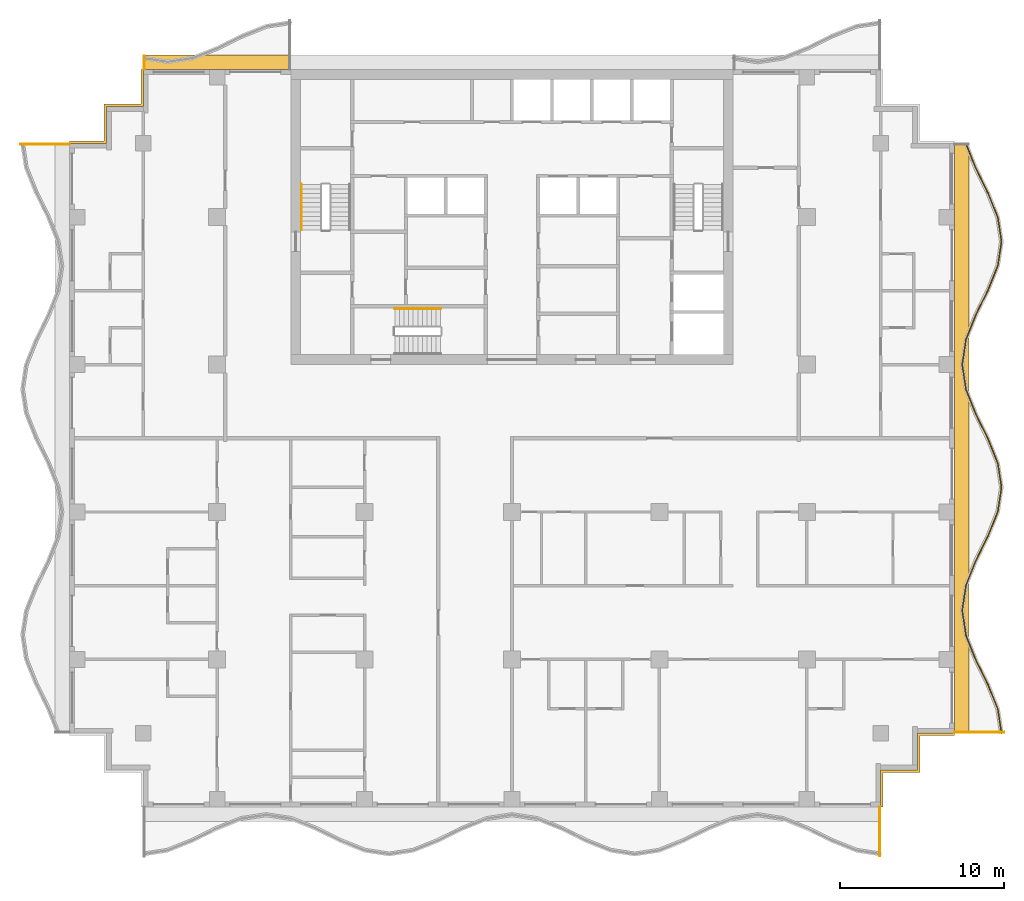
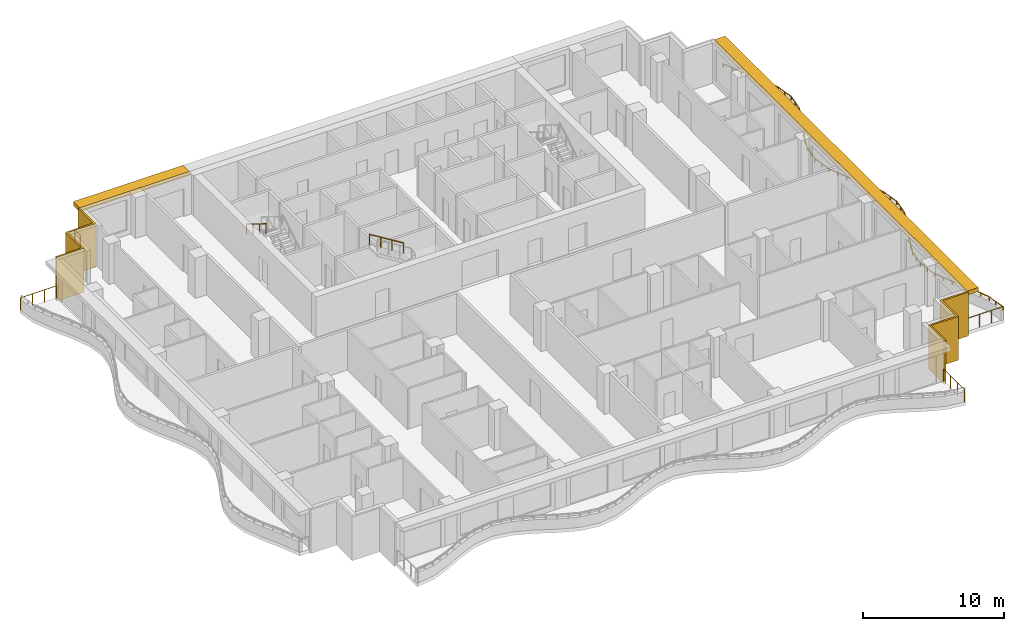
# One storey, part 10 of 11: 7 railings, 4 shading devices.
"""IFC4 building model written with IfcOpenShell, lengths in metres."""

from ifc_helpers import new_model, si_unit, direction, frame, origin, origin_2d, place, context, subcontext, project, spatial, polyline, rectangle, circle, outline, extrude, material, layer, layer_set, type_object, element, save


model = new_model("IFC4")

# Units and contexts
model_context = context("Model", 3, precision=1e-05, world=origin(), true_north=direction((0.0, 1.0)))
body_context = subcontext(model_context, "Body", "Model", "MODEL_VIEW")
ifc_project = project(units=[si_unit("LENGTHUNIT", "METRE"), si_unit("AREAUNIT", "SQUARE_METRE"), si_unit("VOLUMEUNIT", "CUBIC_METRE"), si_unit("PLANEANGLEUNIT", "RADIAN"), si_unit("MASSUNIT", "GRAM", prefix="KILO")], contexts=[model_context])

# Site, building, storey
site_placement = place(None, origin())
site = spatial("IfcSite", under=ifc_project, at=site_placement, CompositionType="ELEMENT")
building_placement = place(site_placement, origin())
building = spatial("IfcBuilding", under=site, at=building_placement, Name="Orbiselva Terraces", CompositionType="ELEMENT")
storey_placement = place(building_placement, frame((0.0, 0.0, 218.6)))
storey = spatial("IfcBuildingStorey", under=building, at=storey_placement, Name="L55", CompositionType="ELEMENT", Elevation=218.6)

# Railings
ifc_material_1 = material(Name="Stainless steel", Category="steel")
railing_type_1 = type_object("IfcRailingType", Name="CORE-HANDRAIL-900", PredefinedType="HANDRAIL", material=ifc_material_1)
railing_1_placement = place(storey_placement, frame((-12.85, 15.5, 2.072727)))
element("IfcRailing", 1, at=railing_1_placement, inside=storey, type_object=railing_type_1, Name="L55 S1 stair handrail 2", PredefinedType="HANDRAIL", context=body_context, shape_type="SweptSolid", body=[
    extrude(circle(Radius=0.024, at=origin_2d()), frame((0.0, 0.0, 0.876), z_axis=(0.0, -0.851088519012, 0.52502222125), x_axis=(1.0, 0.0, 0.0)), (0.0, 0.0, 1.0), 3.289905),
    extrude(circle(Radius=0.021, at=origin_2d()), origin(), (0.0, 0.0, 1.0), 0.852),
    extrude(circle(Radius=0.021, at=origin_2d()), frame((0.0, -0.933333, 0.575758)), (0.0, 0.0, 1.0), 0.852),
    extrude(circle(Radius=0.021, at=origin_2d()), frame((0.0, -1.866667, 1.151515)), (0.0, 0.0, 1.0), 0.852),
    extrude(circle(Radius=0.021, at=origin_2d()), frame((0.0, -2.8, 1.727273)), (0.0, 0.0, 1.0), 0.852),
])
railing_2_placement = place(storey_placement, frame((-4.35, 7.9, 2.072727)))
element("IfcRailing", 2, at=railing_2_placement, inside=storey, type_object=railing_type_1, Name="L55 S3 stair handrail 2", PredefinedType="HANDRAIL", context=body_context, shape_type="SweptSolid", body=[
    extrude(circle(Radius=0.024, at=origin_2d()), frame((0.0, 0.0, 0.876), z_axis=(-0.851088519012, 0.0, 0.52502222125), x_axis=(0.0, -1.0, 0.0)), (0.0, 0.0, 1.0), 3.289905),
    extrude(circle(Radius=0.021, at=origin_2d()), origin(), (0.0, 0.0, 1.0), 0.852),
    extrude(circle(Radius=0.021, at=origin_2d()), frame((-0.933333, 0.0, 0.575758)), (0.0, 0.0, 1.0), 0.852),
    extrude(circle(Radius=0.021, at=origin_2d()), frame((-1.866667, 0.0, 1.151515)), (0.0, 0.0, 1.0), 0.852),
    extrude(circle(Radius=0.021, at=origin_2d()), frame((-2.8, 0.0, 1.727273)), (0.0, 0.0, 1.0), 0.852),
])
ifc_material_2 = material(Name="Bonded two-ply safety glass balustrade, stainless steel posts", Category="steel")
railing_type_2 = type_object("IfcRailingType", Name="ENV-BALUSTRADE-1200", PredefinedType="BALUSTRADE", material=ifc_material_2)
railing_3_placement = place(storey_placement, frame((29.876434, -18.018879, 0.9)))
element("IfcRailing", 3, at=railing_3_placement, inside=storey, type_object=railing_type_2, Name="Balcony balustrade L55 E", PredefinedType="BALUSTRADE", context=body_context, shape_type="SweptSolid", body=[
    extrude(outline(polyline([(0.028868, 0.0), (0.014434, 0.025), (-0.014434, 0.025), (-0.028868, 0.0), (-0.014434, -0.025), (0.014434, -0.025), (0.028868, 0.0)])), frame((0.0, 0.0, 0.275), z_axis=(-0.151034103443, 0.988528552748, 0.0), x_axis=(-0.988528552748, -0.151034103443, 0.0)), (0.0, 0.0, 1.0), 1.503038),
    extrude(outline(polyline([(0.028868, 0.0), (0.014434, 0.025), (-0.014434, 0.025), (-0.028868, 0.0), (-0.014434, -0.025), (0.014434, -0.025), (0.028868, 0.0)])), frame((-0.22701, 1.485796, 0.275), z_axis=(-0.371391000387, 0.928476561272, 0.0), x_axis=(-0.928476561272, -0.371391000387, 0.0)), (0.0, 0.0, 1.0), 1.596261),
    extrude(outline(polyline([(0.028868, 0.0), (0.014434, 0.025), (-0.014434, 0.025), (-0.028868, 0.0), (-0.014434, -0.025), (0.014434, -0.025), (0.028868, 0.0)])), frame((-0.819847, 2.967887, 0.275), z_axis=(-0.443212307306, 0.896416672454, 0.0), x_axis=(-0.896416672454, -0.443212307306, 0.0)), (0.0, 0.0, 1.0), 1.673329),
    extrude(outline(polyline([(0.028868, 0.0), (0.014434, 0.025), (-0.014434, 0.025), (-0.028868, 0.0), (-0.014434, -0.025), (0.014434, -0.025), (0.028868, 0.0)])), frame((-1.561487, 4.467887, 0.275), z_axis=(-0.371390359967, 0.92847681744, 0.0), x_axis=(-0.92847681744, -0.371390359967, 0.0)), (0.0, 0.0, 1.0), 1.634838),
    extrude(outline(polyline([(0.028868, 0.0), (0.014434, 0.025), (-0.014434, 0.025), (-0.028868, 0.0), (-0.014434, -0.025), (0.014434, -0.025), (0.028868, 0.0)])), frame((-2.16865, 5.985796, 0.275), z_axis=(-0.151034211256, 0.988528536275, 0.0), x_axis=(-0.988528536275, -0.151034211256, 0.0)), (0.0, 0.0, 1.0), 1.550874),
    extrude(outline(polyline([(0.028868, 0.0), (0.014434, 0.025), (-0.014434, 0.025), (-0.028868, 0.0), (-0.014434, -0.025), (0.014434, -0.025), (0.028868, 0.0)])), frame((-2.402885, 7.518879, 0.275), z_axis=(0.151034211256, 0.988528536275, 0.0), x_axis=(-0.988528536275, 0.151034211256, 0.0)), (0.0, 0.0, 1.0), 1.550874),
    extrude(outline(polyline([(0.028868, 0.0), (0.014434, 0.025), (-0.014434, 0.025), (-0.028868, 0.0), (-0.014434, -0.025), (0.014434, -0.025), (0.028868, 0.0)])), frame((-2.16865, 9.051962, 0.275), z_axis=(0.371390359967, 0.92847681744, 0.0), x_axis=(-0.92847681744, 0.371390359967, 0.0)), (0.0, 0.0, 1.0), 1.634838),
    extrude(outline(polyline([(0.028868, 0.0), (0.014434, 0.025), (-0.014434, 0.025), (-0.028868, 0.0), (-0.014434, -0.025), (0.014434, -0.025), (0.028868, 0.0)])), frame((-1.561487, 10.569871, 0.275), z_axis=(0.443212307306, 0.896416672454, 0.0), x_axis=(-0.896416672454, 0.443212307306, 0.0)), (0.0, 0.0, 1.0), 1.673329),
    extrude(outline(polyline([(0.028868, 0.0), (0.014434, 0.025), (-0.014434, 0.025), (-0.028868, 0.0), (-0.014434, -0.025), (0.014434, -0.025), (0.028868, 0.0)])), frame((-0.819847, 12.069871, 0.275), z_axis=(0.371391000387, 0.928476561272, 0.0), x_axis=(-0.928476561272, 0.371391000387, 0.0)), (0.0, 0.0, 1.0), 1.596261),
    extrude(outline(polyline([(0.028868, 0.0), (0.014434, 0.025), (-0.014434, 0.025), (-0.028868, 0.0), (-0.014434, -0.025), (0.014434, -0.025), (0.028868, 0.0)])), frame((-0.22701, 13.551962, 0.275), z_axis=(0.151033749027, 0.988528606898, 0.0), x_axis=(-0.988528606898, 0.151033749027, 0.0)), (0.0, 0.0, 1.0), 1.48394),
    extrude(outline(polyline([(0.028868, 0.0), (0.014434, 0.025), (-0.014434, 0.025), (-0.028868, 0.0), (-0.014434, -0.025), (0.014434, -0.025), (0.028868, 0.0)])), frame((-0.002885, 15.018879, 0.275), z_axis=(-0.151033749027, 0.988528606898, 0.0), x_axis=(-0.988528606898, -0.151033749027, 0.0)), (0.0, 0.0, 1.0), 1.48394),
    extrude(outline(polyline([(0.028868, 0.0), (0.014434, 0.025), (-0.014434, 0.025), (-0.028868, 0.0), (-0.014434, -0.025), (0.014434, -0.025), (0.028868, 0.0)])), frame((-0.22701, 16.485796, 0.275), z_axis=(-0.371391000387, 0.928476561272, 0.0), x_axis=(-0.928476561272, -0.371391000387, 0.0)), (0.0, 0.0, 1.0), 1.596261),
    extrude(outline(polyline([(0.028868, 0.0), (0.014434, 0.025), (-0.014434, 0.025), (-0.028868, 0.0), (-0.014434, -0.025), (0.014434, -0.025), (0.028868, 0.0)])), frame((-0.819847, 17.967887, 0.275), z_axis=(-0.443212307306, 0.896416672454, 0.0), x_axis=(-0.896416672454, -0.443212307306, 0.0)), (0.0, 0.0, 1.0), 1.673329),
    extrude(outline(polyline([(0.028868, 0.0), (0.014434, 0.025), (-0.014434, 0.025), (-0.028868, 0.0), (-0.014434, -0.025), (0.014434, -0.025), (0.028868, 0.0)])), frame((-1.561487, 19.467887, 0.275), z_axis=(-0.371390359967, 0.92847681744, 0.0), x_axis=(-0.92847681744, -0.371390359967, 0.0)), (0.0, 0.0, 1.0), 1.634838),
    extrude(outline(polyline([(0.028868, 0.0), (0.014434, 0.025), (-0.014434, 0.025), (-0.028868, 0.0), (-0.014434, -0.025), (0.014434, -0.025), (0.028868, 0.0)])), frame((-2.16865, 20.985796, 0.275), z_axis=(-0.151034211256, 0.988528536275, 0.0), x_axis=(-0.988528536275, -0.151034211256, 0.0)), (0.0, 0.0, 1.0), 1.550874),
    extrude(outline(polyline([(0.028868, 0.0), (0.014434, 0.025), (-0.014434, 0.025), (-0.028868, 0.0), (-0.014434, -0.025), (0.014434, -0.025), (0.028868, 0.0)])), frame((-2.402885, 22.518879, 0.275), z_axis=(0.151034211256, 0.988528536275, 0.0), x_axis=(-0.988528536275, 0.151034211256, 0.0)), (0.0, 0.0, 1.0), 1.550874),
    extrude(outline(polyline([(0.028868, 0.0), (0.014434, 0.025), (-0.014434, 0.025), (-0.028868, 0.0), (-0.014434, -0.025), (0.014434, -0.025), (0.028868, 0.0)])), frame((-2.16865, 24.051962, 0.275), z_axis=(0.371390359967, 0.92847681744, 0.0), x_axis=(-0.92847681744, 0.371390359967, 0.0)), (0.0, 0.0, 1.0), 1.634838),
    extrude(outline(polyline([(0.028868, 0.0), (0.014434, 0.025), (-0.014434, 0.025), (-0.028868, 0.0), (-0.014434, -0.025), (0.014434, -0.025), (0.028868, 0.0)])), frame((-1.561487, 25.569871, 0.275), z_axis=(0.443212307306, 0.896416672454, 0.0), x_axis=(-0.896416672454, 0.443212307306, 0.0)), (0.0, 0.0, 1.0), 1.673329),
    extrude(outline(polyline([(0.028868, 0.0), (0.014434, 0.025), (-0.014434, 0.025), (-0.028868, 0.0), (-0.014434, -0.025), (0.014434, -0.025), (0.028868, 0.0)])), frame((-0.819847, 27.069871, 0.275), z_axis=(0.371391000387, 0.928476561272, 0.0), x_axis=(-0.928476561272, 0.371391000387, 0.0)), (0.0, 0.0, 1.0), 1.596261),
    extrude(outline(polyline([(0.028868, 0.0), (0.014434, 0.025), (-0.014434, 0.025), (-0.028868, 0.0), (-0.014434, -0.025), (0.014434, -0.025), (0.028868, 0.0)])), frame((-0.22701, 28.551962, 0.275), z_axis=(0.151033749027, 0.988528606898, 0.0), x_axis=(-0.988528606898, 0.151033749027, 0.0)), (0.0, 0.0, 1.0), 1.48394),
    extrude(outline(polyline([(0.028868, 0.0), (0.014434, 0.025), (-0.014434, 0.025), (-0.028868, 0.0), (-0.014434, -0.025), (0.014434, -0.025), (0.028868, 0.0)])), frame((-0.002885, 30.018879, 0.275), z_axis=(-0.151033749027, 0.988528606898, 0.0), x_axis=(-0.988528606898, -0.151033749027, 0.0)), (0.0, 0.0, 1.0), 1.48394),
    extrude(outline(polyline([(0.028868, 0.0), (0.014434, 0.025), (-0.014434, 0.025), (-0.028868, 0.0), (-0.014434, -0.025), (0.014434, -0.025), (0.028868, 0.0)])), frame((-0.22701, 31.485796, 0.275), z_axis=(-0.371391000387, 0.928476561272, 0.0), x_axis=(-0.928476561272, -0.371391000387, 0.0)), (0.0, 0.0, 1.0), 1.596261),
    extrude(outline(polyline([(0.028868, 0.0), (0.014434, 0.025), (-0.014434, 0.025), (-0.028868, 0.0), (-0.014434, -0.025), (0.014434, -0.025), (0.028868, 0.0)])), frame((-0.819847, 32.967887, 0.275), z_axis=(-0.443212307306, 0.896416672454, 0.0), x_axis=(-0.896416672454, -0.443212307306, 0.0)), (0.0, 0.0, 1.0), 1.673329),
    extrude(outline(polyline([(0.028868, 0.0), (0.014434, 0.025), (-0.014434, 0.025), (-0.028868, 0.0), (-0.014434, -0.025), (0.014434, -0.025), (0.028868, 0.0)])), frame((-1.561487, 34.467887, 0.275), z_axis=(-0.371390569957, 0.928476733444, 0.0), x_axis=(-0.928476733444, -0.371390569957, 0.0)), (0.0, 0.0, 1.0), 1.620469),
    extrude(rectangle(XDim=0.05, YDim=0.05, at=origin_2d()), origin(), (0.0, 0.0, 1.0), 0.25),
    extrude(rectangle(XDim=0.05, YDim=0.05, at=origin_2d()), frame((-0.113505, 0.742898, 0.0)), (0.0, 0.0, 1.0), 0.25),
    extrude(rectangle(XDim=0.05, YDim=0.05, at=origin_2d()), frame((-0.22701, 1.485796, 0.0)), (0.0, 0.0, 1.0), 0.25),
    extrude(rectangle(XDim=0.05, YDim=0.05, at=origin_2d()), frame((-0.523428, 2.226841, 0.0)), (0.0, 0.0, 1.0), 0.25),
    extrude(rectangle(XDim=0.05, YDim=0.05, at=origin_2d()), frame((-0.819847, 2.967887, 0.0)), (0.0, 0.0, 1.0), 0.25),
    extrude(rectangle(XDim=0.05, YDim=0.05, at=origin_2d()), frame((-1.190667, 3.717887, 0.0)), (0.0, 0.0, 1.0), 0.25),
    extrude(rectangle(XDim=0.05, YDim=0.05, at=origin_2d()), frame((-1.561487, 4.467887, 0.0)), (0.0, 0.0, 1.0), 0.25),
    extrude(rectangle(XDim=0.05, YDim=0.05, at=origin_2d()), frame((-1.865068, 5.226841, 0.0)), (0.0, 0.0, 1.0), 0.25),
    extrude(rectangle(XDim=0.05, YDim=0.05, at=origin_2d()), frame((-2.16865, 5.985796, 0.0)), (0.0, 0.0, 1.0), 0.25),
    extrude(rectangle(XDim=0.05, YDim=0.05, at=origin_2d()), frame((-2.285768, 6.752337, 0.0)), (0.0, 0.0, 1.0), 0.25),
    extrude(rectangle(XDim=0.05, YDim=0.05, at=origin_2d()), frame((-2.402885, 7.518879, 0.0)), (0.0, 0.0, 1.0), 0.25),
    extrude(rectangle(XDim=0.05, YDim=0.05, at=origin_2d()), frame((-2.285768, 8.28542, 0.0)), (0.0, 0.0, 1.0), 0.25),
    extrude(rectangle(XDim=0.05, YDim=0.05, at=origin_2d()), frame((-2.16865, 9.051962, 0.0)), (0.0, 0.0, 1.0), 0.25),
    extrude(rectangle(XDim=0.05, YDim=0.05, at=origin_2d()), frame((-1.865068, 9.810916, 0.0)), (0.0, 0.0, 1.0), 0.25),
    extrude(rectangle(XDim=0.05, YDim=0.05, at=origin_2d()), frame((-1.561487, 10.569871, 0.0)), (0.0, 0.0, 1.0), 0.25),
    extrude(rectangle(XDim=0.05, YDim=0.05, at=origin_2d()), frame((-1.190667, 11.319871, 0.0)), (0.0, 0.0, 1.0), 0.25),
    extrude(rectangle(XDim=0.05, YDim=0.05, at=origin_2d()), frame((-0.819847, 12.069871, 0.0)), (0.0, 0.0, 1.0), 0.25),
    extrude(rectangle(XDim=0.05, YDim=0.05, at=origin_2d()), frame((-0.523428, 12.810916, 0.0)), (0.0, 0.0, 1.0), 0.25),
    extrude(rectangle(XDim=0.05, YDim=0.05, at=origin_2d()), frame((-0.22701, 13.551962, 0.0)), (0.0, 0.0, 1.0), 0.25),
    extrude(rectangle(XDim=0.05, YDim=0.05, at=origin_2d()), frame((-0.114947, 14.28542, 0.0)), (0.0, 0.0, 1.0), 0.25),
    extrude(rectangle(XDim=0.05, YDim=0.05, at=origin_2d()), frame((-0.002885, 15.018879, 0.0)), (0.0, 0.0, 1.0), 0.25),
    extrude(rectangle(XDim=0.05, YDim=0.05, at=origin_2d()), frame((-0.114947, 15.752337, 0.0)), (0.0, 0.0, 1.0), 0.25),
    extrude(rectangle(XDim=0.05, YDim=0.05, at=origin_2d()), frame((-0.22701, 16.485796, 0.0)), (0.0, 0.0, 1.0), 0.25),
    extrude(rectangle(XDim=0.05, YDim=0.05, at=origin_2d()), frame((-0.523428, 17.226842, 0.0)), (0.0, 0.0, 1.0), 0.25),
    extrude(rectangle(XDim=0.05, YDim=0.05, at=origin_2d()), frame((-0.819847, 17.967887, 0.0)), (0.0, 0.0, 1.0), 0.25),
    extrude(rectangle(XDim=0.05, YDim=0.05, at=origin_2d()), frame((-1.190667, 18.717887, 0.0)), (0.0, 0.0, 1.0), 0.25),
    extrude(rectangle(XDim=0.05, YDim=0.05, at=origin_2d()), frame((-1.561487, 19.467887, 0.0)), (0.0, 0.0, 1.0), 0.25),
    extrude(rectangle(XDim=0.05, YDim=0.05, at=origin_2d()), frame((-1.865068, 20.226842, 0.0)), (0.0, 0.0, 1.0), 0.25),
    extrude(rectangle(XDim=0.05, YDim=0.05, at=origin_2d()), frame((-2.16865, 20.985796, 0.0)), (0.0, 0.0, 1.0), 0.25),
    extrude(rectangle(XDim=0.05, YDim=0.05, at=origin_2d()), frame((-2.285768, 21.752337, 0.0)), (0.0, 0.0, 1.0), 0.25),
    extrude(rectangle(XDim=0.05, YDim=0.05, at=origin_2d()), frame((-2.402885, 22.518879, 0.0)), (0.0, 0.0, 1.0), 0.25),
    extrude(rectangle(XDim=0.05, YDim=0.05, at=origin_2d()), frame((-2.285768, 23.28542, 0.0)), (0.0, 0.0, 1.0), 0.25),
    extrude(rectangle(XDim=0.05, YDim=0.05, at=origin_2d()), frame((-2.16865, 24.051962, 0.0)), (0.0, 0.0, 1.0), 0.25),
    extrude(rectangle(XDim=0.05, YDim=0.05, at=origin_2d()), frame((-1.865068, 24.810916, 0.0)), (0.0, 0.0, 1.0), 0.25),
    extrude(rectangle(XDim=0.05, YDim=0.05, at=origin_2d()), frame((-1.561487, 25.569871, 0.0)), (0.0, 0.0, 1.0), 0.25),
    extrude(rectangle(XDim=0.05, YDim=0.05, at=origin_2d()), frame((-1.190667, 26.319871, 0.0)), (0.0, 0.0, 1.0), 0.25),
    extrude(rectangle(XDim=0.05, YDim=0.05, at=origin_2d()), frame((-0.819847, 27.069871, 0.0)), (0.0, 0.0, 1.0), 0.25),
    extrude(rectangle(XDim=0.05, YDim=0.05, at=origin_2d()), frame((-0.523428, 27.810916, 0.0)), (0.0, 0.0, 1.0), 0.25),
    extrude(rectangle(XDim=0.05, YDim=0.05, at=origin_2d()), frame((-0.22701, 28.551962, 0.0)), (0.0, 0.0, 1.0), 0.25),
    extrude(rectangle(XDim=0.05, YDim=0.05, at=origin_2d()), frame((-0.114947, 29.28542, 0.0)), (0.0, 0.0, 1.0), 0.25),
    extrude(rectangle(XDim=0.05, YDim=0.05, at=origin_2d()), frame((-0.002885, 30.018879, 0.0)), (0.0, 0.0, 1.0), 0.25),
    extrude(rectangle(XDim=0.05, YDim=0.05, at=origin_2d()), frame((-0.114947, 30.752338, 0.0)), (0.0, 0.0, 1.0), 0.25),
    extrude(rectangle(XDim=0.05, YDim=0.05, at=origin_2d()), frame((-0.22701, 31.485796, 0.0)), (0.0, 0.0, 1.0), 0.25),
    extrude(rectangle(XDim=0.05, YDim=0.05, at=origin_2d()), frame((-0.523428, 32.226842, 0.0)), (0.0, 0.0, 1.0), 0.25),
    extrude(rectangle(XDim=0.05, YDim=0.05, at=origin_2d()), frame((-0.819847, 32.967887, 0.0)), (0.0, 0.0, 1.0), 0.25),
    extrude(rectangle(XDim=0.05, YDim=0.05, at=origin_2d()), frame((-1.190667, 33.717887, 0.0)), (0.0, 0.0, 1.0), 0.25),
    extrude(rectangle(XDim=0.05, YDim=0.05, at=origin_2d()), frame((-1.561487, 34.467887, 0.0)), (0.0, 0.0, 1.0), 0.25),
    extrude(rectangle(XDim=0.05, YDim=0.05, at=origin_2d()), frame((-1.8624, 35.220171, 0.0)), (0.0, 0.0, 1.0), 0.25),
    extrude(rectangle(XDim=0.05, YDim=0.05, at=origin_2d()), frame((-2.163314, 35.972455, 0.0)), (0.0, 0.0, 1.0), 0.25),
])
ifc_material_3 = material(Name="Stainless steel rail and posts", Category="steel")
railing_type_3 = type_object("IfcRailingType", Name="ENV-GUARD-1105", PredefinedType="BALUSTRADE", material=ifc_material_3)
railing_4_placement = place(storey_placement, frame((22.44, -25.499621, 0.0)))
element("IfcRailing", 4, at=railing_4_placement, inside=storey, type_object=railing_type_3, Name="Balcony end guard L55 S", PredefinedType="BALUSTRADE", context=body_context, shape_type="SweptSolid", body=[
    extrude(outline(polyline([(0.028868, 0.0), (0.014434, 0.025), (-0.014434, 0.025), (-0.028868, 0.0), (-0.014434, -0.025), (0.014434, -0.025), (0.028868, 0.0)])), frame((0.0, 0.0, 1.08), z_axis=(0.0, 1.0, 0.0), x_axis=(-1.0, 0.0, 0.0)), (0.0, 0.0, 1.0), 2.974621),
    extrude(rectangle(XDim=0.05, YDim=0.05, at=origin_2d()), origin(), (0.0, 0.0, 1.0), 1.055),
    extrude(rectangle(XDim=0.05, YDim=0.05, at=origin_2d()), frame((0.0, 0.99154, 0.0)), (0.0, 0.0, 1.0), 1.055),
    extrude(rectangle(XDim=0.05, YDim=0.05, at=origin_2d()), frame((0.0, 1.983081, 0.0)), (0.0, 0.0, 1.0), 1.055),
    extrude(rectangle(XDim=0.05, YDim=0.05, at=origin_2d()), frame((0.0, 2.974621, 0.0)), (0.0, 0.0, 1.0), 1.055),
])
railing_5_placement = place(storey_placement, frame((29.999621, -17.94, 0.0)))
element("IfcRailing", 5, at=railing_5_placement, inside=storey, type_object=railing_type_3, Name="Balcony end guard L55 E", PredefinedType="BALUSTRADE", context=body_context, shape_type="SweptSolid", body=[
    extrude(outline(polyline([(0.028868, 0.0), (0.014434, 0.025), (-0.014434, 0.025), (-0.028868, 0.0), (-0.014434, -0.025), (0.014434, -0.025), (0.028868, 0.0)])), frame((0.0, 0.0, 1.08), z_axis=(-1.0, 0.0, 0.0), x_axis=(0.0, -1.0, 0.0)), (0.0, 0.0, 1.0), 2.974621),
    extrude(rectangle(XDim=0.05, YDim=0.05, at=origin_2d()), origin(), (0.0, 0.0, 1.0), 1.055),
    extrude(rectangle(XDim=0.05, YDim=0.05, at=origin_2d()), frame((-0.99154, 0.0, 0.0)), (0.0, 0.0, 1.0), 1.055),
    extrude(rectangle(XDim=0.05, YDim=0.05, at=origin_2d()), frame((-1.983081, 0.0, 0.0)), (0.0, 0.0, 1.0), 1.055),
    extrude(rectangle(XDim=0.05, YDim=0.05, at=origin_2d()), frame((-2.974621, 0.0, 0.0)), (0.0, 0.0, 1.0), 1.055),
])
railing_6_placement = place(storey_placement, frame((-22.44, 23.311761, 0.0)))
element("IfcRailing", 6, at=railing_6_placement, inside=storey, type_object=railing_type_3, Name="Balcony end guard L55 NW", PredefinedType="BALUSTRADE", context=body_context, shape_type="SweptSolid", body=[
    extrude(outline(polyline([(0.028868, 0.0), (0.014434, 0.025), (-0.014434, 0.025), (-0.028868, 0.0), (-0.014434, -0.025), (0.014434, -0.025), (0.028868, 0.0)])), frame((0.0, 0.0, 1.08), z_axis=(0.0, -1.0, 0.0), x_axis=(1.0, 0.0, 0.0)), (0.0, 0.0, 1.0), 0.786761),
    extrude(rectangle(XDim=0.05, YDim=0.05, at=origin_2d()), origin(), (0.0, 0.0, 1.0), 1.055),
    extrude(rectangle(XDim=0.05, YDim=0.05, at=origin_2d()), frame((0.0, -0.786761, 0.0)), (0.0, 0.0, 1.0), 1.055),
])
railing_7_placement = place(storey_placement, frame((-29.999621, 17.94, 0.0)))
element("IfcRailing", 7, at=railing_7_placement, inside=storey, type_object=railing_type_3, Name="Balcony end guard L55 W", PredefinedType="BALUSTRADE", context=body_context, shape_type="SweptSolid", body=[
    extrude(outline(polyline([(0.028868, 0.0), (0.014434, 0.025), (-0.014434, 0.025), (-0.028868, 0.0), (-0.014434, -0.025), (0.014434, -0.025), (0.028868, 0.0)])), frame((0.0, 0.0, 1.08), z_axis=(1.0, 0.0, 0.0), x_axis=(0.0, 1.0, 0.0)), (0.0, 0.0, 1.0), 2.974621),
    extrude(rectangle(XDim=0.05, YDim=0.05, at=origin_2d()), origin(), (0.0, 0.0, 1.0), 1.055),
    extrude(rectangle(XDim=0.05, YDim=0.05, at=origin_2d()), frame((0.99154, 0.0, 0.0)), (0.0, 0.0, 1.0), 1.055),
    extrude(rectangle(XDim=0.05, YDim=0.05, at=origin_2d()), frame((1.983081, 0.0, 0.0)), (0.0, 0.0, 1.0), 1.055),
    extrude(rectangle(XDim=0.05, YDim=0.05, at=origin_2d()), frame((2.974621, 0.0, 0.0)), (0.0, 0.0, 1.0), 1.055),
])

# Shading devices
ifc_material_4 = material(Name="Terracotta louvre screen", Category="masonry")
ifc_layer_1 = layer(ifc_material_4, 0.15)
ifc_layer_set_1 = layer_set([ifc_layer_1], Name="Terracotta louvre screen")
shading_device_type_1 = type_object("IfcShadingDeviceType", Name="ENV-SCREEN-150", PredefinedType="USERDEFINED", material=ifc_layer_set_1)
shading_device_1_placement = place(storey_placement, frame((0.0, 0.0, -0.3)))
element("IfcShadingDevice", 8, at=shading_device_1_placement, inside=storey, type_object=shading_device_type_1, Name="Louvre screen L55 NW", ObjectType="SCREEN", PredefinedType="USERDEFINED", context=body_context, shape_type="SweptSolid", body=[
    extrude(outline(polyline([(-22.65, 22.5), (-22.65, 20.4), (-24.9, 20.4), (-24.9, 18.15), (-27.0, 18.15), (-27.0, 18.0), (-24.75, 18.0), (-24.75, 20.25), (-22.5, 20.25), (-22.5, 22.5), (-22.65, 22.5)])), origin(), (0.0, 0.0, 1.0), 3.8),
])
shading_device_2_placement = place(storey_placement, frame((0.0, 0.0, -0.3)))
element("IfcShadingDevice", 9, at=shading_device_2_placement, inside=storey, type_object=shading_device_type_1, Name="Louvre screen L55 SE", ObjectType="SCREEN", PredefinedType="USERDEFINED", context=body_context, shape_type="SweptSolid", body=[
    extrude(outline(polyline([(22.65, -22.5), (22.65, -20.4), (24.9, -20.4), (24.9, -18.15), (27.0, -18.15), (27.0, -18.0), (24.75, -18.0), (24.75, -20.25), (22.5, -20.25), (22.5, -22.5), (22.65, -22.5)])), origin(), (0.0, 0.0, 1.0), 3.8),
])
ifc_material_5 = material(Name="Terracotta baguette sunshade", Category="masonry")
ifc_layer_2 = layer(ifc_material_5, 0.35)
ifc_layer_set_2 = layer_set([ifc_layer_2], Name="Terracotta baguette sunshade")
shading_device_type_2 = type_object("IfcShadingDeviceType", Name="ENV-SUNSHADE-900x350", PredefinedType="USERDEFINED", material=ifc_layer_set_2)
shading_device_3_placement = place(storey_placement, frame((0.0, 0.0, 3.15)))
element("IfcShadingDevice", 10, at=shading_device_3_placement, inside=storey, type_object=shading_device_type_2, Name="Sunshade band L55 E", ObjectType="SUNSHADE", PredefinedType="USERDEFINED", context=body_context, shape_type="SweptSolid", body=[
    extrude(outline(polyline([(27.9, -18.0), (27.9, 18.0), (27.0, 18.0), (27.0, -18.0), (27.9, -18.0)])), origin(), (0.0, 0.0, 1.0), 0.35),
])
shading_device_4_placement = place(storey_placement, frame((0.0, 0.0, 3.15)))
element("IfcShadingDevice", 11, at=shading_device_4_placement, inside=storey, type_object=shading_device_type_2, Name="Sunshade band L55 NW", ObjectType="SUNSHADE", PredefinedType="USERDEFINED", context=body_context, shape_type="SweptSolid", body=[
    extrude(outline(polyline([(-13.5, 23.4), (-22.5, 23.4), (-22.5, 22.5), (-13.5, 22.5), (-13.5, 23.4)])), origin(), (0.0, 0.0, 1.0), 0.35),
])

save(model, "model.ifc")
